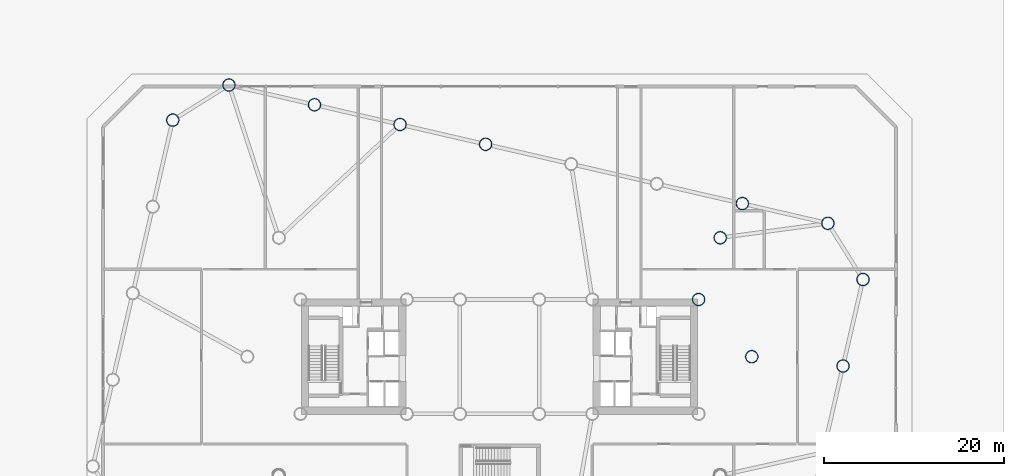
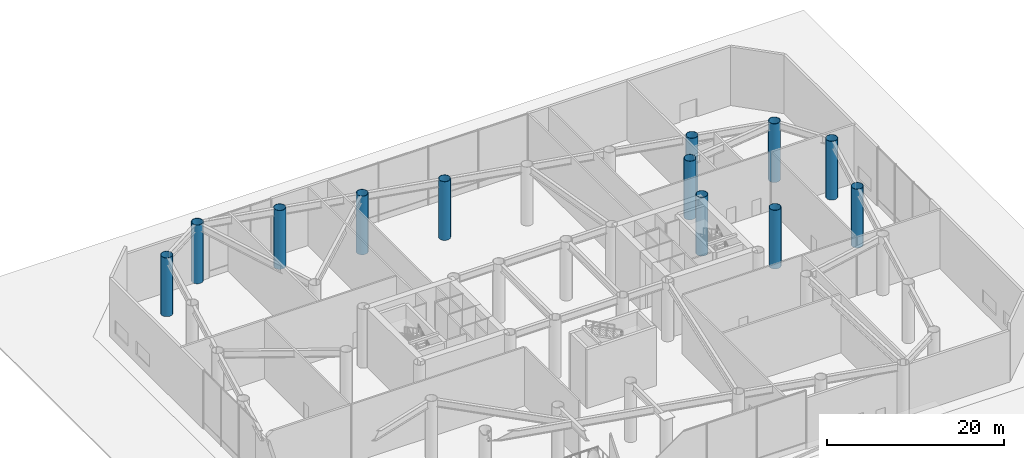
# One storey, part 6 of 28: 12 columns.
"""IFC4 building model written with IfcOpenShell, lengths in metres."""

from ifc_helpers import new_model, si_unit, direction, frame, origin, origin_2d, place, context, subcontext, project, spatial, hollow_circle, extrude, material, material_profile, profile_set, type_object, element, save


model = new_model("IFC4")

# Units and contexts
model_context = context("Model", 3, precision=1e-05, world=origin(), true_north=direction((0.0, 1.0)))
body_context = subcontext(model_context, "Body", "Model", "MODEL_VIEW")
ifc_project = project(units=[si_unit("LENGTHUNIT", "METRE"), si_unit("AREAUNIT", "SQUARE_METRE"), si_unit("VOLUMEUNIT", "CUBIC_METRE"), si_unit("PLANEANGLEUNIT", "RADIAN"), si_unit("MASSUNIT", "GRAM", prefix="KILO")], contexts=[model_context])

# Site, building, storey
site_placement = place(None, origin())
site = spatial("IfcSite", under=ifc_project, at=site_placement, CompositionType="ELEMENT")
building_placement = place(site_placement, origin())
building = spatial("IfcBuilding", under=site, at=building_placement, Name="Tavrogorsk Clinical Tower", CompositionType="ELEMENT")
storey_placement = place(building_placement, origin())
storey = spatial("IfcBuildingStorey", under=building, at=storey_placement, Name="L00", CompositionType="ELEMENT", Elevation=0.0)

# Columns
ifc_material = material(Name="Structural steel S440", Category="steel")
ifc_material_profile = material_profile(ifc_material, hollow_circle(Radius=0.699951171875, WallThickness=0.050048828125, at=origin_2d()), Name="CHS-1400x50")
ifc_profile_set = profile_set([ifc_material_profile], Name="Structural steel S440")
column_type = type_object("IfcColumnType", Name="PilotisStilt_CHS1400", PredefinedType="COLUMN", material=ifc_profile_set)
for number, where, z_axis, x_axis, name in (
    (1, (22.10009765625, 6.35009765625, 0.0), (0.0, 0.0, 1.0), (1.0, 0.0, 0.0), "L00 Mega Column MC-E4"),
    (2, (24.5, 13.199951171875, 0.0), (0.0, 0.0, 1.0), (1.0, 0.0, 0.0), "L00 Spine Pilotis Column MC-P4"),
    (3, (28.0, 0.0, 0.0), (0.0, 0.0, 1.0), (1.0, 0.0, 0.0), "L00 Spine Pilotis Column MC-P6"),
    (4, (36.451416015625, 14.805908203125, 0.0), (0.0, 0.0, 1.0), (1.0, 0.0, 0.0), "L00 Open Pilotis Stilt N1"),
    (5, (26.952392578125, 16.998779296875, 0.0), (0.0, 0.0, 1.0), (1.0, 0.0, 0.0), "L00 Open Pilotis Stilt N2"),
    (6, (-1.543701171875, 23.577880859375, 0.0), (0.0, 0.0, 1.0), (1.0, 0.0, 0.0), "L00 Open Pilotis Stilt N5"),
    (7, (-11.042236328125, 25.770751953125, 0.0), (0.0, 0.0, 1.0), (1.0, 0.0, 0.0), "L00 Open Pilotis Stilt N6"),
    (8, (-20.541015625, 27.963623046875, 0.0), (0.0, 0.0, 1.0), (1.0, 0.0, 0.0), "L00 Open Pilotis Stilt N7"),
    (9, (-30.039794921875, 30.156494140625, 0.0), (0.0, 0.0, 1.0), (1.0, 0.0, 0.0), "L00 Open Pilotis Stilt N8"),
    (10, (38.130126953125, -1.037841796875, 0.0), (0.0, 0.0, 1.0), (1.0, 0.0, 0.0), "L00 Open Pilotis Stilt E4"),
    (11, (40.348388671875, 8.569580078125, 0.0), (0.0, 0.0, 1.0), (1.0, 0.0, 0.0), "L00 Open Pilotis Stilt E5"),
    (12, (-36.276123046875, 26.259765625, 0.0), (0.0, 0.0, 1.0), (1.0, 0.0, 0.0), "L00 Open Pilotis Stilt W1"),
):
    element("IfcColumn", number, at=place(storey_placement, frame(where, z_axis=z_axis, x_axis=x_axis)), inside=storey, type_object=column_type, Name=name, PredefinedType="COLUMN", context=body_context, shape_type="SweptSolid", body=[
        extrude(hollow_circle(Radius=0.699951171875, WallThickness=0.050048828125, at=origin_2d()), origin(), (0.0, 0.0, 1.0), 8.10009765625),
    ])

save(model, "model.ifc")
